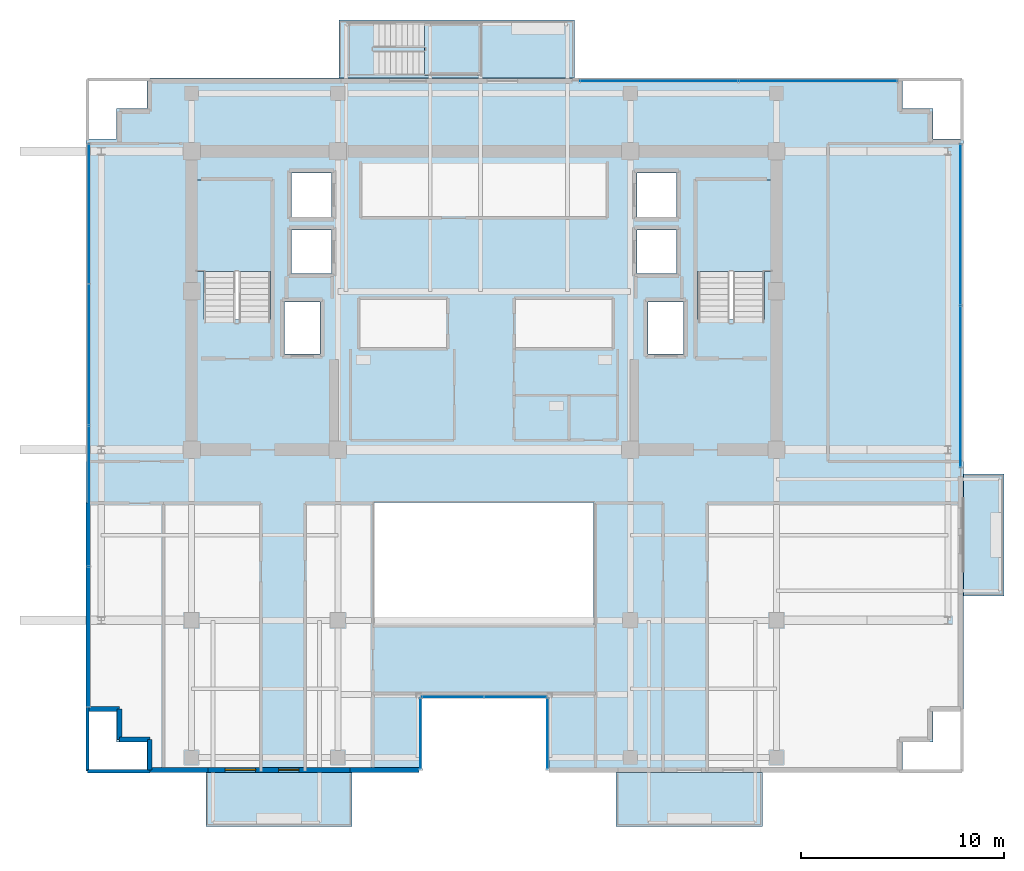
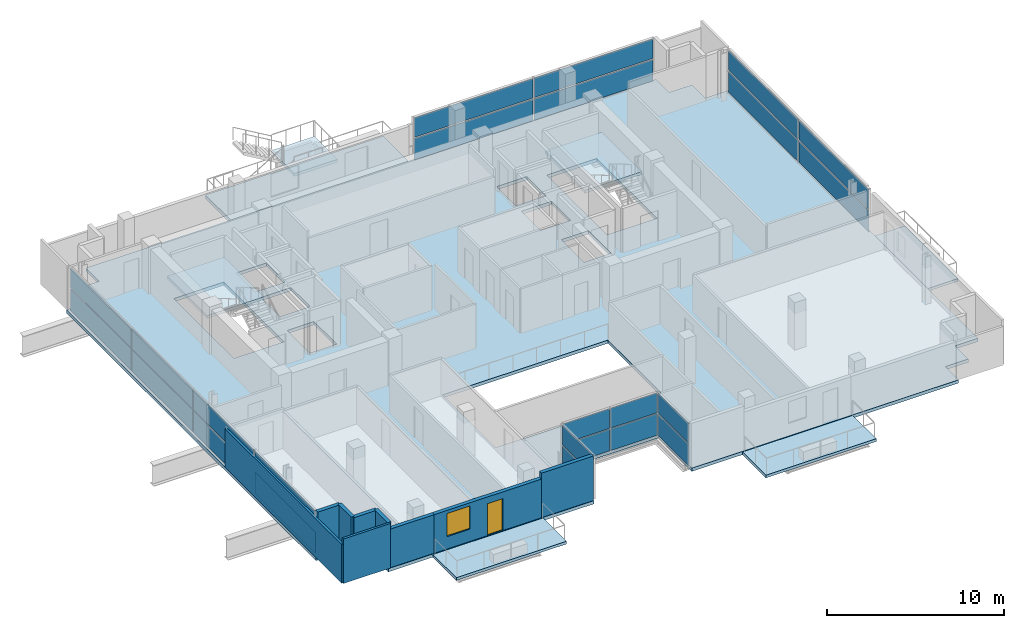
# One storey, part 14 of 23: 24 plates, 9 walls, 8 slabs, 1 door, 1 window, 2 openings, 9 elements without a shape of their own.
"""IFC4 building model written with IfcOpenShell, lengths in metres."""

from ifc_helpers import new_model, si_unit, direction, frame, frame_2d, origin, origin_2d, place, context, subcontext, project, spatial, polyline, rectangle, outline, extrude, source, transform, mapped, material, layer, layer_set, type_object, element, fill, aggregate, save


model = new_model("IFC4")

# Units and contexts
model_context = context("Model", 3, precision=1e-05, world=origin(), true_north=direction((0.0, 1.0)))
body_context = subcontext(model_context, "Body", "Model", "MODEL_VIEW")
ifc_project = project(units=[si_unit("LENGTHUNIT", "METRE"), si_unit("AREAUNIT", "SQUARE_METRE"), si_unit("VOLUMEUNIT", "CUBIC_METRE"), si_unit("PLANEANGLEUNIT", "RADIAN"), si_unit("MASSUNIT", "GRAM", prefix="KILO")], contexts=[model_context])

# Site, building, storey
site_placement = place(None, origin())
site = spatial("IfcSite", under=ifc_project, at=site_placement, CompositionType="ELEMENT")
building_placement = place(site_placement, origin())
building = spatial("IfcBuilding", under=site, at=building_placement, Name="Zarnakvel Exchange Tower", CompositionType="ELEMENT")
storey_placement = place(building_placement, frame((0.0, 0.0, 232.0)))
storey = spatial("IfcBuildingStorey", under=building, at=storey_placement, Name="L65", CompositionType="ELEMENT", Elevation=232.0)

# Stair, slab
ifc_material_1 = material(Name="Concrete C40/50", Category="concrete")
stair_type_1 = type_object("IfcStairType", Name="STR-01", PredefinedType="HALF_TURN_STAIR", material=ifc_material_1)
stair_1_placement = place(storey_placement, origin())
stair_1 = element("IfcStair", 1, at=stair_1_placement, inside=storey, type_object=stair_type_1, Name="L65 Protected Core Exit Stair ST-01", PredefinedType="HALF_TURN_STAIR")
ifc_layer_1 = layer(ifc_material_1, 0.199951171875)
ifc_layer_set_1 = layer_set([ifc_layer_1], Name="Concrete C40/50")
slab_type_1 = type_object("IfcSlabType", Name="LDG-01", PredefinedType="LANDING", material=ifc_layer_set_1)
slab_1_placement = place(storey_placement, frame((0.0, 0.0, 1.449951171875)))
slab_1 = element("IfcSlab", 2, at=slab_1_placement, type_object=slab_type_1, Name="ST-01 landing 1", PredefinedType="LANDING", context=body_context, shape_type="SweptSolid", body=[
    extrude(outline(polyline([(-14.18994140625, 7.570068359375), (-10.4599609375, 7.570068359375), (-10.4599609375, 12.080078125), (-14.18994140625, 12.080078125), (-14.18994140625, 7.570068359375)])), origin(), (0.0, 0.0, 1.0), 0.199951171875),
])
aggregate(stair_1, [slab_1])

stair_2_placement = place(storey_placement, origin())
stair_2 = element("IfcStair", 3, at=stair_2_placement, inside=storey, type_object=stair_type_1, Name="L65 Protected Core Exit Stair ST-02", PredefinedType="HALF_TURN_STAIR")
slab_2_placement = place(storey_placement, frame((0.0, 0.0, 1.449951171875)))
slab_2 = element("IfcSlab", 4, at=slab_2_placement, type_object=slab_type_1, Name="ST-02 landing 1", PredefinedType="LANDING", context=body_context, shape_type="SweptSolid", body=[
    extrude(outline(polyline([(10.4599609375, 7.570068359375), (14.18994140625, 7.570068359375), (14.18994140625, 12.080078125), (10.4599609375, 12.080078125), (10.4599609375, 7.570068359375)])), origin(), (0.0, 0.0, 1.0), 0.199951171875),
])
aggregate(stair_2, [slab_2])

stair_type_2 = type_object("IfcStairType", Name="STR-05", PredefinedType="HALF_TURN_STAIR", material=ifc_material_1)
stair_3_placement = place(storey_placement, origin())
stair_3 = element("IfcStair", 5, at=stair_3_placement, inside=storey, type_object=stair_type_2, Name="L65 Spiral Sky-Terrace Connecting Stair ST-14", PredefinedType="HALF_TURN_STAIR")
slab_3_placement = place(storey_placement, frame((0.0, 0.0, 1.449951171875)))
slab_3 = element("IfcSlab", 6, at=slab_3_placement, type_object=slab_type_1, Name="ST-14 landing 1", PredefinedType="LANDING", context=body_context, shape_type="SweptSolid", body=[
    extrude(outline(polyline([(-2.929931640625, 17.219970703125), (-0.10009765625, 17.219970703125), (-0.10009765625, 19.840087890625), (-2.929931640625, 19.840087890625), (-2.929931640625, 17.219970703125)])), origin(), (0.0, 0.0, 1.0), 0.199951171875),
])
aggregate(stair_3, [slab_3])

# Slabs
ifc_layer_2 = layer(ifc_material_1, 0.22509765625)
ifc_layer_set_2 = layer_set([ifc_layer_2], Name="Concrete C40/50")
slab_type_2 = type_object("IfcSlabType", Name="SL-04", PredefinedType="FLOOR", material=ifc_layer_set_2)
slab_4_placement = place(storey_placement, frame((0.0, 0.0, -0.22509765625)))
element("IfcSlab", 7, at=slab_4_placement, inside=storey, type_object=slab_type_2, Name="L65 Primary Structural Floor Slab", PredefinedType="FLOOR", context=body_context, shape_type="SweptSolid", body=[
    extrude(outline(polyline([(-19.60009765625, -14.10009765625), (-18.10009765625, -14.10009765625), (-18.10009765625, -15.60009765625), (-16.60009765625, -15.60009765625), (-16.60009765625, -17.10009765625), (-3.199951171875, -17.10009765625), (-3.199951171875, -13.300048828125), (3.199951171875, -13.300048828125), (3.199951171875, -17.10009765625), (20.60009765625, -17.10009765625), (20.60009765625, -15.60009765625), (22.10009765625, -15.60009765625), (22.10009765625, -14.10009765625), (23.60009765625, -14.10009765625), (23.60009765625, 14.10009765625), (22.10009765625, 14.10009765625), (22.10009765625, 15.60009765625), (20.60009765625, 15.60009765625), (20.60009765625, 17.10009765625), (-16.60009765625, 17.10009765625), (-16.60009765625, 15.60009765625), (-18.10009765625, 15.60009765625), (-18.10009765625, 14.10009765625), (-19.60009765625, 14.10009765625), (-19.60009765625, -14.10009765625)]), holes=[polyline([(-5.39990234375, -9.800048828125), (5.39990234375, -9.800048828125), (5.39990234375, -3.800048828125), (-5.39990234375, -3.800048828125), (-5.39990234375, -9.800048828125)]), polyline([(-13.800048828125, 5.2099609375), (-10.5400390625, 5.2099609375), (-10.5400390625, 12.0), (-13.800048828125, 12.0), (-13.800048828125, 5.2099609375)]), polyline([(10.5400390625, 5.2099609375), (13.800048828125, 5.2099609375), (13.800048828125, 12.0), (10.5400390625, 12.0), (10.5400390625, 5.2099609375)]), polyline([(-9.830078125, 3.52001953125), (-8.070068359375, 3.52001953125), (-8.070068359375, 6.080078125), (-9.830078125, 6.080078125), (-9.830078125, 3.52001953125)]), polyline([(8.070068359375, 3.52001953125), (9.830078125, 3.52001953125), (9.830078125, 6.080078125), (8.070068359375, 6.080078125), (8.070068359375, 3.52001953125)]), polyline([(-9.47998046875, 7.469970703125), (-7.52001953125, 7.469970703125), (-7.52001953125, 9.6298828125), (-9.47998046875, 9.6298828125), (-9.47998046875, 7.469970703125)]), polyline([(-9.47998046875, 10.27001953125), (-7.52001953125, 10.27001953125), (-7.52001953125, 12.429931640625), (-9.47998046875, 12.429931640625), (-9.47998046875, 10.27001953125)]), polyline([(7.52001953125, 7.469970703125), (9.47998046875, 7.469970703125), (9.47998046875, 9.6298828125), (7.52001953125, 9.6298828125), (7.52001953125, 7.469970703125)]), polyline([(7.52001953125, 10.27001953125), (9.47998046875, 10.27001953125), (9.47998046875, 12.429931640625), (7.52001953125, 12.429931640625), (7.52001953125, 10.27001953125)])]), origin(), (0.0, 0.0, 1.0), 0.22509765625),
])
ifc_layer_3 = layer(ifc_material_1, 0.25)
ifc_layer_set_3 = layer_set([ifc_layer_3], Name="Concrete C40/50")
slab_type_3 = type_object("IfcSlabType", Name="SL-07", PredefinedType="ROOF", material=ifc_layer_set_3)
slab_5_placement = place(storey_placement, frame((0.0, 0.0, -0.25)))
element("IfcSlab", 8, at=slab_5_placement, inside=storey, type_object=slab_type_3, Name="L65 Spiral Sky-Terrace Outdoor Slab (NW)", PredefinedType="ROOF", context=body_context, shape_type="SweptSolid", body=[
    extrude(outline(polyline([(-7.14990234375, 17.10009765625), (4.449951171875, 17.10009765625), (4.449951171875, 19.9599609375), (-7.14990234375, 19.9599609375), (-7.14990234375, 17.10009765625)])), origin(), (0.0, 0.0, 1.0), 0.25),
])
ifc_layer_4 = layer(ifc_material_1, 0.18994140625)
ifc_layer_set_4 = layer_set([ifc_layer_4], Name="Concrete C40/50")
slab_type_4 = type_object("IfcSlabType", Name="SL-08", PredefinedType="USERDEFINED", material=ifc_layer_set_4)
slab_6_placement = place(storey_placement, frame((0.0, 0.0, -0.22509765625)))
element("IfcSlab", 9, at=slab_6_placement, inside=storey, type_object=slab_type_4, Name="L65 Planted Loggia Balcony Slab BAL-L65-SW", ObjectType="BALCONY", PredefinedType="USERDEFINED", context=body_context, shape_type="SweptSolid", body=[
    extrude(outline(polyline([(-13.699951171875, -19.75), (-6.5, -19.75), (-6.5, -17.10009765625), (-13.699951171875, -17.10009765625), (-13.699951171875, -19.75)])), origin(), (0.0, 0.0, 1.0), 0.190185546875),
])
slab_7_placement = place(storey_placement, frame((0.0, 0.0, -0.22509765625)))
element("IfcSlab", 10, at=slab_7_placement, inside=storey, type_object=slab_type_4, Name="L65 Planted Loggia Balcony Slab BAL-L65-SE", ObjectType="BALCONY", PredefinedType="USERDEFINED", context=body_context, shape_type="SweptSolid", body=[
    extrude(outline(polyline([(6.5, -19.75), (13.699951171875, -19.75), (13.699951171875, -17.10009765625), (6.5, -17.10009765625), (6.5, -19.75)])), origin(), (0.0, 0.0, 1.0), 0.190185546875),
])
slab_8_placement = place(storey_placement, frame((0.0, 0.0, -0.22509765625)))
element("IfcSlab", 11, at=slab_8_placement, inside=storey, type_object=slab_type_4, Name="L65 Planted Loggia Balcony Slab BAL-L65-E", ObjectType="BALCONY", PredefinedType="USERDEFINED", context=body_context, shape_type="SweptSolid", body=[
    extrude(outline(polyline([(23.60009765625, -8.39990234375), (25.60009765625, -8.39990234375), (25.60009765625, -2.39990234375), (23.60009765625, -2.39990234375), (23.60009765625, -8.39990234375)])), origin(), (0.0, 0.0, 1.0), 0.190185546875),
])

# Curtain wall, plate
ifc_material_2 = material(Name="Architectural Bronze Anodised Aluminium", Category="aluminium")
ifc_layer_5 = layer(ifc_material_2, 0.179931640625)
ifc_layer_set_5 = layer_set([ifc_layer_5], Name="Architectural Bronze Anodised Aluminium")
curtain_wall_type_1 = type_object("IfcCurtainWallType", Name="CW-05", PredefinedType="NOTDEFINED", material=ifc_layer_set_5)
curtain_wall_1_placement = place(storey_placement, origin())
curtain_wall_1 = element("IfcCurtainWall", 12, at=curtain_wall_1_placement, inside=storey, type_object=curtain_wall_type_1, Name="L65 Curtain Wall CW-L65-SLW (CW-05)", PredefinedType="NOTDEFINED")
ifc_material_3 = material(Name="Double Low-E Laminated Vision Glass", Category="glass")
ifc_layer_6 = layer(ifc_material_3, 0.02587890625)
ifc_layer_set_6 = layer_set([ifc_layer_6], Name="Double Low-E Laminated Vision Glass")
plate_type_1 = type_object("IfcPlateType", Name="CWP-05", PredefinedType="CURTAIN_PANEL", material=ifc_layer_set_6)
shared_shape_1 = source(origin(), body_context, "Body", "SweptSolid", [
    extrude(rectangle(XDim=3.4599609375, YDim=0.02587890625, at=origin_2d()), origin(), (0.0, 0.0, 1.0), 1.483642578125),
])
plate_1_placement = place(storey_placement, frame((-3.1201171875, -15.179931640625, 0.06982421875), z_axis=(0.0, 0.0, 1.0), x_axis=(0.0, 1.0, 0.0)))
plate_1 = element("IfcPlate", 13, at=plate_1_placement, type_object=plate_type_1, Name="CW-05 panel 1.1", PredefinedType="CURTAIN_PANEL", context=body_context, shape_type="MappedRepresentation", body=[
    mapped(shared_shape_1, transform((0.0, 0.0, 0.0), x_axis=(1.0, 0.0, 0.0), y_axis=(0.0, 1.0, 0.0), z_axis=(0.0, 0.0, 1.0), scale=1.0)),
])

curtain_wall_2_placement = place(storey_placement, origin())
curtain_wall_2 = element("IfcCurtainWall", 14, at=curtain_wall_2_placement, inside=storey, type_object=curtain_wall_type_1, Name="L65 Curtain Wall CW-L65-SLE (CW-05)", PredefinedType="NOTDEFINED")
plate_2_placement = place(storey_placement, frame((3.1201171875, -15.179931640625, 0.06982421875), z_axis=(0.0, 0.0, 1.0), x_axis=(0.0, -1.0, 0.0)))
plate_2 = element("IfcPlate", 15, at=plate_2_placement, type_object=plate_type_1, Name="CW-05 panel 1.1", PredefinedType="CURTAIN_PANEL", context=body_context, shape_type="MappedRepresentation", body=[
    mapped(shared_shape_1, transform((0.0, 0.0, 0.0), x_axis=(1.0, 0.0, 0.0), y_axis=(0.0, 1.0, 0.0), z_axis=(0.0, 0.0, 1.0), scale=1.0)),
])

# Plate
shared_shape_2 = source(origin(), body_context, "Body", "SweptSolid", [
    extrude(rectangle(XDim=3.4599609375, YDim=0.02587890625, at=origin_2d()), origin(), (0.0, 0.0, 1.0), 1.361328125),
])
plate_3_placement = place(storey_placement, frame((-3.1201171875, -15.179931640625, 1.62353515625), z_axis=(0.0, 0.0, 1.0), x_axis=(0.0, 1.0, 0.0)))
plate_3 = element("IfcPlate", 16, at=plate_3_placement, type_object=plate_type_1, Name="CW-05 panel 1.2", PredefinedType="CURTAIN_PANEL", context=body_context, shape_type="MappedRepresentation", body=[
    mapped(shared_shape_2, transform((0.0, 0.0, 0.0), x_axis=(1.0, 0.0, 0.0), y_axis=(0.0, 1.0, 0.0), z_axis=(0.0, 0.0, 1.0), scale=1.0)),
])

aggregate(curtain_wall_1, [plate_1, plate_3])

plate_4_placement = place(storey_placement, frame((3.1201171875, -15.179931640625, 1.62353515625), z_axis=(0.0, 0.0, 1.0), x_axis=(0.0, -1.0, 0.0)))
plate_4 = element("IfcPlate", 17, at=plate_4_placement, type_object=plate_type_1, Name="CW-05 panel 1.2", PredefinedType="CURTAIN_PANEL", context=body_context, shape_type="MappedRepresentation", body=[
    mapped(shared_shape_2, transform((0.0, 0.0, 0.0), x_axis=(1.0, 0.0, 0.0), y_axis=(0.0, 1.0, 0.0), z_axis=(0.0, 0.0, 1.0), scale=1.0)),
])

aggregate(curtain_wall_2, [plate_2, plate_4])

# Curtain wall, plates
curtain_wall_3_placement = place(storey_placement, origin())
curtain_wall_3 = element("IfcCurtainWall", 18, at=curtain_wall_3_placement, inside=storey, type_object=curtain_wall_type_1, Name="L65 Curtain Wall CW-L65-SLB (CW-05)", PredefinedType="NOTDEFINED")
shared_shape_3 = source(origin(), body_context, "Body", "SweptSolid", [
    extrude(rectangle(XDim=3.014892578125, YDim=0.02587890625, at=origin_2d()), origin(), (0.0, 0.0, 1.0), 1.483642578125),
])
plate_5_placement = place(storey_placement, frame((-1.54248046875, -13.3798828125, 0.06982421875), z_axis=(0.0, 0.0, 1.0), x_axis=(1.0, 0.0, 0.0)))
plate_5 = element("IfcPlate", 19, at=plate_5_placement, type_object=plate_type_1, Name="CW-05 panel 1.1", PredefinedType="CURTAIN_PANEL", context=body_context, shape_type="MappedRepresentation", body=[
    mapped(shared_shape_3, transform((0.0, 0.0, 0.0), x_axis=(1.0, 0.0, 0.0), y_axis=(0.0, 1.0, 0.0), z_axis=(0.0, 0.0, 1.0), scale=1.0)),
])
plate_6_placement = place(storey_placement, frame((1.54248046875, -13.3798828125, 0.06982421875), z_axis=(0.0, 0.0, 1.0), x_axis=(1.0, 0.0, 0.0)))
plate_6 = element("IfcPlate", 20, at=plate_6_placement, type_object=plate_type_1, Name="CW-05 panel 2.1", PredefinedType="CURTAIN_PANEL", context=body_context, shape_type="MappedRepresentation", body=[
    mapped(shared_shape_3, transform((0.0, 0.0, 0.0), x_axis=(1.0, 0.0, 0.0), y_axis=(0.0, 1.0, 0.0), z_axis=(0.0, 0.0, 1.0), scale=1.0)),
])
shared_shape_4 = source(origin(), body_context, "Body", "SweptSolid", [
    extrude(rectangle(XDim=3.014892578125, YDim=0.02587890625, at=origin_2d()), origin(), (0.0, 0.0, 1.0), 1.361328125),
])
plate_7_placement = place(storey_placement, frame((-1.54248046875, -13.3798828125, 1.62353515625), z_axis=(0.0, 0.0, 1.0), x_axis=(1.0, 0.0, 0.0)))
plate_7 = element("IfcPlate", 21, at=plate_7_placement, type_object=plate_type_1, Name="CW-05 panel 1.2", PredefinedType="CURTAIN_PANEL", context=body_context, shape_type="MappedRepresentation", body=[
    mapped(shared_shape_4, transform((0.0, 0.0, 0.0), x_axis=(1.0, 0.0, 0.0), y_axis=(0.0, 1.0, 0.0), z_axis=(0.0, 0.0, 1.0), scale=1.0)),
])
plate_8_placement = place(storey_placement, frame((1.54248046875, -13.3798828125, 1.62353515625), z_axis=(0.0, 0.0, 1.0), x_axis=(1.0, 0.0, 0.0)))
plate_8 = element("IfcPlate", 22, at=plate_8_placement, type_object=plate_type_1, Name="CW-05 panel 2.2", PredefinedType="CURTAIN_PANEL", context=body_context, shape_type="MappedRepresentation", body=[
    mapped(shared_shape_4, transform((0.0, 0.0, 0.0), x_axis=(1.0, 0.0, 0.0), y_axis=(0.0, 1.0, 0.0), z_axis=(0.0, 0.0, 1.0), scale=1.0)),
])
aggregate(curtain_wall_3, [plate_5, plate_7, plate_6, plate_8])

ifc_layer_7 = layer(ifc_material_2, 0.219970703125)
ifc_layer_set_7 = layer_set([ifc_layer_7], Name="Architectural Bronze Anodised Aluminium")
curtain_wall_type_2 = type_object("IfcCurtainWallType", Name="CW-03", PredefinedType="NOTDEFINED", material=ifc_layer_set_7)
curtain_wall_4_placement = place(storey_placement, origin())
curtain_wall_4 = element("IfcCurtainWall", 23, at=curtain_wall_4_placement, inside=storey, type_object=curtain_wall_type_2, Name="L65 Curtain Wall CW-L65-N1 (CW-03)", PredefinedType="NOTDEFINED")
ifc_layer_8 = layer(ifc_material_3, 0.030029296875)
ifc_layer_set_8 = layer_set([ifc_layer_8], Name="Double Low-E Laminated Vision Glass")
plate_type_2 = type_object("IfcPlateType", Name="CWP-03", PredefinedType="CURTAIN_PANEL", material=ifc_layer_set_8)
shared_shape_5 = source(origin(), body_context, "Body", "SweptSolid", [
    extrude(rectangle(XDim=7.7548828125, YDim=0.030029296875, at=origin_2d()), origin(), (0.0, 0.0, 1.0), 1.468505859375),
])
plate_9_placement = place(storey_placement, frame((8.607421875, 16.9599609375, 0.080078125), z_axis=(0.0, 0.0, 1.0), x_axis=(1.0, 0.0, 0.0)))
plate_9 = element("IfcPlate", 24, at=plate_9_placement, type_object=plate_type_2, Name="CW-03 panel 1.1", PredefinedType="CURTAIN_PANEL", context=body_context, shape_type="MappedRepresentation", body=[
    mapped(shared_shape_5, transform((0.0, 0.0, 0.0), x_axis=(1.0, 0.0, 0.0), y_axis=(0.0, 1.0, 0.0), z_axis=(0.0, 0.0, 1.0), scale=1.0)),
])
plate_10_placement = place(storey_placement, frame((16.4423828125, 16.9599609375, 0.080078125), z_axis=(0.0, 0.0, 1.0), x_axis=(1.0, 0.0, 0.0)))
plate_10 = element("IfcPlate", 25, at=plate_10_placement, type_object=plate_type_2, Name="CW-03 panel 2.1", PredefinedType="CURTAIN_PANEL", context=body_context, shape_type="MappedRepresentation", body=[
    mapped(shared_shape_5, transform((0.0, 0.0, 0.0), x_axis=(1.0, 0.0, 0.0), y_axis=(0.0, 1.0, 0.0), z_axis=(0.0, 0.0, 1.0), scale=1.0)),
])
shared_shape_6 = source(origin(), body_context, "Body", "SweptSolid", [
    extrude(rectangle(XDim=7.7548828125, YDim=0.030029296875, at=origin_2d()), origin(), (0.0, 0.0, 1.0), 1.346435546875),
])
plate_11_placement = place(storey_placement, frame((8.607421875, 16.9599609375, 1.62841796875), z_axis=(0.0, 0.0, 1.0), x_axis=(1.0, 0.0, 0.0)))
plate_11 = element("IfcPlate", 26, at=plate_11_placement, type_object=plate_type_2, Name="CW-03 panel 1.2", PredefinedType="CURTAIN_PANEL", context=body_context, shape_type="MappedRepresentation", body=[
    mapped(shared_shape_6, transform((0.0, 0.0, 0.0), x_axis=(1.0, 0.0, 0.0), y_axis=(0.0, 1.0, 0.0), z_axis=(0.0, 0.0, 1.0), scale=1.0)),
])
plate_12_placement = place(storey_placement, frame((16.4423828125, 16.9599609375, 1.62841796875), z_axis=(0.0, 0.0, 1.0), x_axis=(1.0, 0.0, 0.0)))
plate_12 = element("IfcPlate", 27, at=plate_12_placement, type_object=plate_type_2, Name="CW-03 panel 2.2", PredefinedType="CURTAIN_PANEL", context=body_context, shape_type="MappedRepresentation", body=[
    mapped(shared_shape_6, transform((0.0, 0.0, 0.0), x_axis=(1.0, 0.0, 0.0), y_axis=(0.0, 1.0, 0.0), z_axis=(0.0, 0.0, 1.0), scale=1.0)),
])
aggregate(curtain_wall_4, [plate_9, plate_11, plate_10, plate_12])

ifc_layer_9 = layer(ifc_material_2, 0.199951171875)
ifc_layer_set_9 = layer_set([ifc_layer_9], Name="Architectural Bronze Anodised Aluminium")
curtain_wall_type_3 = type_object("IfcCurtainWallType", Name="CW-04", PredefinedType="NOTDEFINED", material=ifc_layer_set_9)
curtain_wall_5_placement = place(storey_placement, origin())
curtain_wall_5 = element("IfcCurtainWall", 28, at=curtain_wall_5_placement, inside=storey, type_object=curtain_wall_type_3, Name="L65 Curtain Wall CW-L65-W1 (CW-04)", PredefinedType="NOTDEFINED")
ifc_layer_10 = layer(ifc_material_3, 0.028076171875)
ifc_layer_set_10 = layer_set([ifc_layer_10], Name="Double Low-E Laminated Vision Glass")
plate_type_3 = type_object("IfcPlateType", Name="CWP-04", PredefinedType="CURTAIN_PANEL", material=ifc_layer_set_10)
shared_shape_7 = source(origin(), body_context, "Body", "SweptSolid", [
    extrude(rectangle(XDim=6.83740234375, YDim=0.028076171875, at=origin_2d()), origin(), (0.0, 0.0, 1.0), 1.47607421875),
])
plate_13_placement = place(storey_placement, frame((-19.4599609375, -10.40625, 0.074951171875), z_axis=(0.0, 0.0, 1.0), x_axis=(0.0, 1.0, 0.0)))
plate_13 = element("IfcPlate", 29, at=plate_13_placement, type_object=plate_type_3, Name="CW-04 panel 1.1", PredefinedType="CURTAIN_PANEL", context=body_context, shape_type="MappedRepresentation", body=[
    mapped(shared_shape_7, transform((0.0, 0.0, 0.0), x_axis=(1.0, 0.0, 0.0), y_axis=(0.0, 1.0, 0.0), z_axis=(0.0, 0.0, 1.0), scale=1.0)),
])
plate_14_placement = place(storey_placement, frame((-19.4599609375, 10.40625, 0.074951171875), z_axis=(0.0, 0.0, 1.0), x_axis=(0.0, 1.0, 0.0)))
plate_14 = element("IfcPlate", 30, at=plate_14_placement, type_object=plate_type_3, Name="CW-04 panel 4.1", PredefinedType="CURTAIN_PANEL", context=body_context, shape_type="MappedRepresentation", body=[
    mapped(shared_shape_7, transform((0.0, 0.0, 0.0), x_axis=(1.0, 0.0, 0.0), y_axis=(0.0, 1.0, 0.0), z_axis=(0.0, 0.0, 1.0), scale=1.0)),
])
shared_shape_8 = source(origin(), body_context, "Body", "SweptSolid", [
    extrude(rectangle(XDim=6.83740234375, YDim=0.028076171875, at=origin_2d()), origin(), (0.0, 0.0, 1.0), 1.35400390625),
])
plate_15_placement = place(storey_placement, frame((-19.4599609375, -10.40625, 1.6259765625), z_axis=(0.0, 0.0, 1.0), x_axis=(0.0, 1.0, 0.0)))
plate_15 = element("IfcPlate", 31, at=plate_15_placement, type_object=plate_type_3, Name="CW-04 panel 1.2", PredefinedType="CURTAIN_PANEL", context=body_context, shape_type="MappedRepresentation", body=[
    mapped(shared_shape_8, transform((0.0, 0.0, 0.0), x_axis=(1.0, 0.0, 0.0), y_axis=(0.0, 1.0, 0.0), z_axis=(0.0, 0.0, 1.0), scale=1.0)),
])
plate_16_placement = place(storey_placement, frame((-19.4599609375, 10.40625, 1.6259765625), z_axis=(0.0, 0.0, 1.0), x_axis=(0.0, 1.0, 0.0)))
plate_16 = element("IfcPlate", 32, at=plate_16_placement, type_object=plate_type_3, Name="CW-04 panel 4.2", PredefinedType="CURTAIN_PANEL", context=body_context, shape_type="MappedRepresentation", body=[
    mapped(shared_shape_8, transform((0.0, 0.0, 0.0), x_axis=(1.0, 0.0, 0.0), y_axis=(0.0, 1.0, 0.0), z_axis=(0.0, 0.0, 1.0), scale=1.0)),
])
shared_shape_9 = source(origin(), body_context, "Body", "SweptSolid", [
    extrude(rectangle(XDim=6.875, YDim=0.028076171875, at=origin_2d()), origin(), (0.0, 0.0, 1.0), 1.47607421875),
])
plate_17_placement = place(storey_placement, frame((-19.4599609375, -3.47509765625, 0.074951171875), z_axis=(0.0, 0.0, 1.0), x_axis=(0.0, 1.0, 0.0)))
plate_17 = element("IfcPlate", 33, at=plate_17_placement, type_object=plate_type_3, Name="CW-04 panel 2.1", PredefinedType="CURTAIN_PANEL", context=body_context, shape_type="MappedRepresentation", body=[
    mapped(shared_shape_9, transform((0.0, 0.0, 0.0), x_axis=(1.0, 0.0, 0.0), y_axis=(0.0, 1.0, 0.0), z_axis=(0.0, 0.0, 1.0), scale=1.0)),
])
plate_18_placement = place(storey_placement, frame((-19.4599609375, 3.47509765625, 0.074951171875), z_axis=(0.0, 0.0, 1.0), x_axis=(0.0, 1.0, 0.0)))
plate_18 = element("IfcPlate", 34, at=plate_18_placement, type_object=plate_type_3, Name="CW-04 panel 3.1", PredefinedType="CURTAIN_PANEL", context=body_context, shape_type="MappedRepresentation", body=[
    mapped(shared_shape_9, transform((0.0, 0.0, 0.0), x_axis=(1.0, 0.0, 0.0), y_axis=(0.0, 1.0, 0.0), z_axis=(0.0, 0.0, 1.0), scale=1.0)),
])
shared_shape_10 = source(origin(), body_context, "Body", "SweptSolid", [
    extrude(rectangle(XDim=6.875, YDim=0.028076171875, at=origin_2d()), origin(), (0.0, 0.0, 1.0), 1.35400390625),
])
plate_19_placement = place(storey_placement, frame((-19.4599609375, -3.47509765625, 1.6259765625), z_axis=(0.0, 0.0, 1.0), x_axis=(0.0, 1.0, 0.0)))
plate_19 = element("IfcPlate", 35, at=plate_19_placement, type_object=plate_type_3, Name="CW-04 panel 2.2", PredefinedType="CURTAIN_PANEL", context=body_context, shape_type="MappedRepresentation", body=[
    mapped(shared_shape_10, transform((0.0, 0.0, 0.0), x_axis=(1.0, 0.0, 0.0), y_axis=(0.0, 1.0, 0.0), z_axis=(0.0, 0.0, 1.0), scale=1.0)),
])
plate_20_placement = place(storey_placement, frame((-19.4599609375, 3.47509765625, 1.6259765625), z_axis=(0.0, 0.0, 1.0), x_axis=(0.0, 1.0, 0.0)))
plate_20 = element("IfcPlate", 36, at=plate_20_placement, type_object=plate_type_3, Name="CW-04 panel 3.2", PredefinedType="CURTAIN_PANEL", context=body_context, shape_type="MappedRepresentation", body=[
    mapped(shared_shape_10, transform((0.0, 0.0, 0.0), x_axis=(1.0, 0.0, 0.0), y_axis=(0.0, 1.0, 0.0), z_axis=(0.0, 0.0, 1.0), scale=1.0)),
])
aggregate(curtain_wall_5, [plate_13, plate_15, plate_17, plate_19, plate_18, plate_20, plate_14, plate_16])

curtain_wall_6_placement = place(storey_placement, origin())
curtain_wall_6 = element("IfcCurtainWall", 37, at=curtain_wall_6_placement, inside=storey, type_object=curtain_wall_type_3, Name="L65 Curtain Wall CW-L65-EN (CW-04)", PredefinedType="NOTDEFINED")
shared_shape_11 = source(origin(), body_context, "Body", "SweptSolid", [
    extrude(rectangle(XDim=7.887451171875, YDim=0.028076171875, at=origin_2d()), origin(), (0.0, 0.0, 1.0), 1.47607421875),
])
plate_21_placement = place(storey_placement, frame((23.4599609375, 1.918701171875, 0.074951171875), z_axis=(0.0, 0.0, 1.0), x_axis=(0.0, 1.0, 0.0)))
plate_21 = element("IfcPlate", 38, at=plate_21_placement, type_object=plate_type_3, Name="CW-04 panel 1.1", PredefinedType="CURTAIN_PANEL", context=body_context, shape_type="MappedRepresentation", body=[
    mapped(shared_shape_11, transform((0.0, 0.0, 0.0), x_axis=(1.0, 0.0, 0.0), y_axis=(0.0, 1.0, 0.0), z_axis=(0.0, 0.0, 1.0), scale=1.0)),
])
plate_22_placement = place(storey_placement, frame((23.4599609375, 9.88134765625, 0.074951171875), z_axis=(0.0, 0.0, 1.0), x_axis=(0.0, 1.0, 0.0)))
plate_22 = element("IfcPlate", 39, at=plate_22_placement, type_object=plate_type_3, Name="CW-04 panel 2.1", PredefinedType="CURTAIN_PANEL", context=body_context, shape_type="MappedRepresentation", body=[
    mapped(shared_shape_11, transform((0.0, 0.0, 0.0), x_axis=(1.0, 0.0, 0.0), y_axis=(0.0, 1.0, 0.0), z_axis=(0.0, 0.0, 1.0), scale=1.0)),
])
shared_shape_12 = source(origin(), body_context, "Body", "SweptSolid", [
    extrude(rectangle(XDim=7.887451171875, YDim=0.028076171875, at=origin_2d()), origin(), (0.0, 0.0, 1.0), 1.35400390625),
])
plate_23_placement = place(storey_placement, frame((23.4599609375, 1.918701171875, 1.6259765625), z_axis=(0.0, 0.0, 1.0), x_axis=(0.0, 1.0, 0.0)))
plate_23 = element("IfcPlate", 40, at=plate_23_placement, type_object=plate_type_3, Name="CW-04 panel 1.2", PredefinedType="CURTAIN_PANEL", context=body_context, shape_type="MappedRepresentation", body=[
    mapped(shared_shape_12, transform((0.0, 0.0, 0.0), x_axis=(1.0, 0.0, 0.0), y_axis=(0.0, 1.0, 0.0), z_axis=(0.0, 0.0, 1.0), scale=1.0)),
])
plate_24_placement = place(storey_placement, frame((23.4599609375, 9.88134765625, 1.6259765625), z_axis=(0.0, 0.0, 1.0), x_axis=(0.0, 1.0, 0.0)))
plate_24 = element("IfcPlate", 41, at=plate_24_placement, type_object=plate_type_3, Name="CW-04 panel 2.2", PredefinedType="CURTAIN_PANEL", context=body_context, shape_type="MappedRepresentation", body=[
    mapped(shared_shape_12, transform((0.0, 0.0, 0.0), x_axis=(1.0, 0.0, 0.0), y_axis=(0.0, 1.0, 0.0), z_axis=(0.0, 0.0, 1.0), scale=1.0)),
])
aggregate(curtain_wall_6, [plate_21, plate_23, plate_22, plate_24])

# Wall, openings, door, window
ifc_material_4 = material(Name="Precast concrete C40/50", Category="concrete")
ifc_layer_11 = layer(ifc_material_4, 0.239990234375)
ifc_layer_set_11 = layer_set([ifc_layer_11], Name="Precast concrete C40/50")
wall_type_1 = type_object("IfcWallType", Name="EW-02", PredefinedType="SOLIDWALL", material=ifc_layer_set_11)
wall_1_placement = place(storey_placement, frame((-6.60009765625, -16.9599609375, 0.0), z_axis=(0.0, 0.0, 1.0), x_axis=(-1.0, 0.0, 0.0)))
wall_1 = element("IfcWall", 42, at=wall_1_placement, inside=storey, type_object=wall_type_1, Name="L65 Exterior Precast Spandrel Wall EW-BAL-L65-SW (EW-02)", PredefinedType="SOLIDWALL", context=body_context, shape_type="SweptSolid", body=[
    extrude(rectangle(XDim=7.0, YDim=0.239990234375, at=frame_2d((3.5, 0.0))), origin(), (0.0, 0.0, 1.0), 2.6650390625),
])
opening_1_placement = place(wall_1_placement, frame((2.52001953125, 0.0, 0.0)))
opening_1 = element("IfcOpeningElement", 43, at=opening_1_placement, cuts=wall_1, Name="Opening BD-L65-01", PredefinedType="OPENING", context=body_context, shape_type="SweptSolid", body=[
    extrude(rectangle(XDim=1.0, YDim=2.199951171875, at=frame_2d((0.5, 1.10009765625))), frame((0.0, 0.1298828125, 0.0), z_axis=(0.0, -1.0, 0.0), x_axis=(1.0, 0.0, 0.0)), (0.0, 0.0, 1.0), 0.260009765625),
])
opening_2_placement = place(wall_1_placement, frame((4.64990234375, 0.0, 0.85009765625)))
opening_2 = element("IfcOpeningElement", 44, at=opening_2_placement, cuts=wall_1, Name="Opening WN-03", PredefinedType="OPENING", context=body_context, shape_type="SweptSolid", body=[
    extrude(rectangle(XDim=1.5, YDim=1.60009765625, at=frame_2d((0.75, 0.800048828125))), frame((0.0, 0.1298828125, 0.0), z_axis=(0.0, -1.0, 0.0), x_axis=(1.0, 0.0, 0.0)), (0.0, 0.0, 1.0), 0.260009765625),
])
door_type = type_object("IfcDoorType", Name="DT-09", OperationType="NOTDEFINED", PredefinedType="DOOR", material=ifc_material_2)
shared_shape_13 = source(origin(), body_context, "Body", "SweptSolid", [
    extrude(rectangle(XDim=1.0, YDim=2.199951171875, at=frame_2d((0.5, 1.10009765625))), frame((0.0, 0.02490234375, 0.0), z_axis=(0.0, -1.0, 0.0), x_axis=(1.0, 0.0, 0.0)), (0.0, 0.0, 1.0), 0.050048828125),
])
door_placement = place(opening_1_placement, origin())
door = element("IfcDoor", 45, at=door_placement, inside=storey, type_object=door_type, Name="L65 Planted Loggia Balcony Door BD-L65-01", OperationType="SINGLE_SWING_LEFT", OverallHeight=2.199951171875, OverallWidth=1.0, PredefinedType="DOOR", context=body_context, shape_type="MappedRepresentation", body=[
    mapped(shared_shape_13, transform((0.0, 0.0, 0.0), x_axis=(1.0, 0.0, 0.0), y_axis=(0.0, 1.0, 0.0), z_axis=(0.0, 0.0, 1.0), scale=1.0)),
])
fill(opening_1, door)
window_type = type_object("IfcWindowType", Name="WN-03", PartitioningType="SINGLE_PANEL", PredefinedType="WINDOW", material=ifc_material_3)
shared_shape_14 = source(origin(), body_context, "Body", "SweptSolid", [
    extrude(rectangle(XDim=1.5, YDim=1.60009765625, at=frame_2d((0.75, 0.800048828125))), frame((0.0, 0.030029296875, 0.0), z_axis=(0.0, -1.0, 0.0), x_axis=(1.0, 0.0, 0.0)), (0.0, 0.0, 1.0), 0.06005859375),
])
window_placement = place(opening_2_placement, origin())
window = element("IfcWindow", 46, at=window_placement, inside=storey, type_object=window_type, Name="L65 Loggia Daylight Window (WN-03)", OverallHeight=1.60009765625, OverallWidth=1.5, PartitioningType="SINGLE_PANEL", PredefinedType="WINDOW", context=body_context, shape_type="MappedRepresentation", body=[
    mapped(shared_shape_14, transform((0.0, 0.0, 0.0), x_axis=(1.0, 0.0, 0.0), y_axis=(0.0, 1.0, 0.0), z_axis=(0.0, 0.0, 1.0), scale=1.0)),
])
fill(opening_2, window)

# Walls
wall_2_placement = place(storey_placement, frame((-6.60009765625, -16.9599609375, 0.0), z_axis=(0.0, 0.0, 1.0), x_axis=(1.0, 0.0, 0.0)))
element("IfcWall", 47, at=wall_2_placement, inside=storey, type_object=wall_type_1, Name="L65 Exterior Precast Spandrel Wall EWC-L65-23 (EW-02)", PredefinedType="SOLIDWALL", context=body_context, shape_type="SweptSolid", body=[
    extrude(rectangle(XDim=3.400146484375, YDim=0.239990234375, at=frame_2d((1.7001953125, 0.0))), origin(), (0.0, 0.0, 1.0), 3.074951171875),
])
wall_3_placement = place(storey_placement, frame((-16.4599609375, -16.9599609375, 0.0), z_axis=(0.0, 0.0, 1.0), x_axis=(1.0, 0.0, 0.0)))
element("IfcWall", 48, at=wall_3_placement, inside=storey, type_object=wall_type_1, Name="L65 Exterior Precast Spandrel Wall EWC-L65-24 (EW-02)", PredefinedType="SOLIDWALL", context=body_context, shape_type="SweptSolid", body=[
    extrude(rectangle(XDim=2.85986328125, YDim=0.239990234375, at=frame_2d((1.429931640625, 0.0))), origin(), (0.0, 0.0, 1.0), 2.6650390625),
])
for number, where, z_axis, x_axis, name in (
    (49, (-16.4599609375, -15.4599609375, 0.0), (0.0, 0.0, 1.0), (0.0, -1.0, 0.0), "L65 Exterior Precast Spandrel Wall EWC-L65-25 (EW-02)"),
    (50, (-17.9599609375, -15.4599609375, 0.0), (0.0, 0.0, 1.0), (1.0, 0.0, 0.0), "L65 Exterior Precast Spandrel Wall EWC-L65-26 (EW-02)"),
    (51, (-17.9599609375, -13.9599609375, 0.0), (0.0, 0.0, 1.0), (0.0, -1.0, 0.0), "L65 Exterior Precast Spandrel Wall EWC-L65-27 (EW-02)"),
    (52, (-19.4599609375, -13.9599609375, 0.0), (0.0, 0.0, 1.0), (1.0, 0.0, 0.0), "L65 Exterior Precast Spandrel Wall EWC-L65-28 (EW-02)"),
):
    element("IfcWall", number, at=place(storey_placement, frame(where, z_axis=z_axis, x_axis=x_axis)), inside=storey, type_object=wall_type_1, Name=name, PredefinedType="SOLIDWALL", context=body_context, shape_type="SweptSolid", body=[
        extrude(rectangle(XDim=1.5, YDim=0.239990234375, at=frame_2d((0.75, 0.0))), origin(), (0.0, 0.0, 1.0), 3.074951171875),
    ])
ifc_material_5 = material(Name="Fire-Rated Gypsum Stud Partition", Category="gypsum")
ifc_layer_12 = layer(ifc_material_5, 0.14990234375)
ifc_layer_set_12 = layer_set([ifc_layer_12], Name="Fire-Rated Gypsum Stud Partition")
wall_type_2 = type_object("IfcWallType", Name="PT-01", PredefinedType="PARTITIONING", material=ifc_layer_set_12)
wall_4_placement = place(storey_placement, frame((-16.4599609375, -17.030029296875, 0.0), z_axis=(0.0, 0.0, 1.0), x_axis=(-1.0, 0.0, 0.0)))
element("IfcWall", 53, at=wall_4_placement, inside=storey, type_object=wall_type_2, Name="L65 Partition Wall PWALL-L65-033 (PT-01)", PredefinedType="PARTITIONING", context=body_context, shape_type="SweptSolid", body=[
    extrude(rectangle(XDim=3.070068359375, YDim=0.14990234375, at=frame_2d((1.53515625, 0.0))), origin(), (0.0, 0.0, 1.0), 3.074951171875),
])
wall_5_placement = place(storey_placement, frame((-19.530029296875, -17.030029296875, 0.0), z_axis=(0.0, 0.0, 1.0), x_axis=(0.0, 1.0, 0.0)))
element("IfcWall", 54, at=wall_5_placement, inside=storey, type_object=wall_type_2, Name="L65 Partition Wall PWALL-L65-035 (PT-01)", PredefinedType="PARTITIONING", context=body_context, shape_type="SweptSolid", body=[
    extrude(rectangle(XDim=13.199951171875, YDim=0.14990234375, at=frame_2d((6.60009765625, 0.0))), origin(), (0.0, 0.0, 1.0), 2.6650390625),
])

save(model, "model.ifc")
